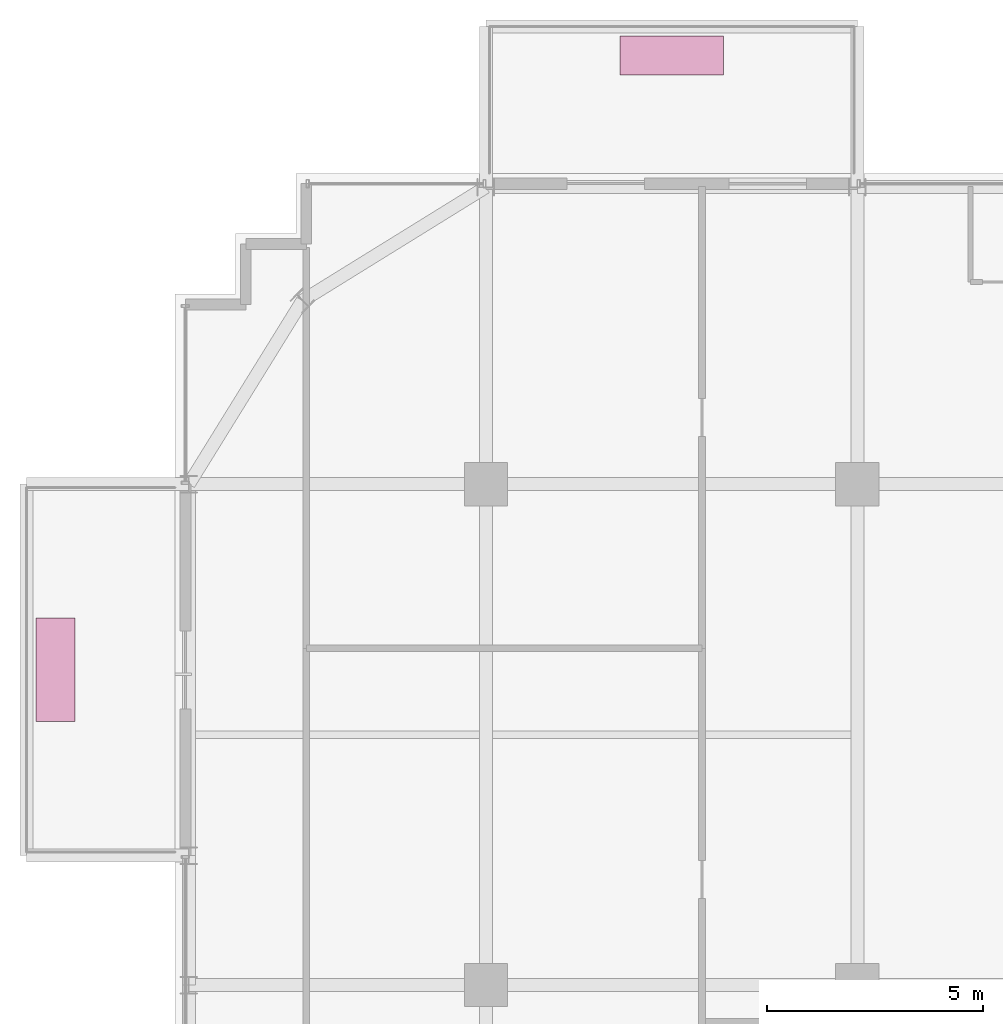
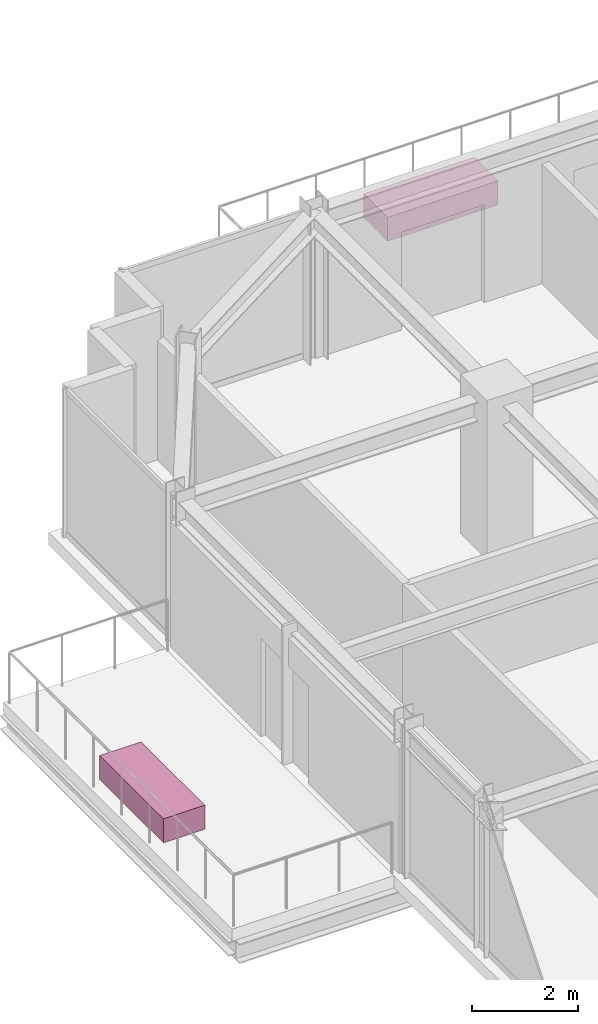
# One storey, part 36 of 36: 2 furnishings.
"""IFC4 building model written with IfcOpenShell, lengths in metres."""

from ifc_helpers import new_model, si_unit, direction, frame, origin, origin_2d, place, context, subcontext, project, spatial, rectangle, extrude, source, transform, mapped, material, type_object, element, save


model = new_model("IFC4")

# Units and contexts
model_context = context("Model", 3, precision=1e-05, world=origin(), true_north=direction((0.0, 1.0)))
body_context = subcontext(model_context, "Body", "Model", "MODEL_VIEW")
ifc_project = project(units=[si_unit("LENGTHUNIT", "METRE"), si_unit("AREAUNIT", "SQUARE_METRE"), si_unit("VOLUMEUNIT", "CUBIC_METRE"), si_unit("PLANEANGLEUNIT", "RADIAN"), si_unit("MASSUNIT", "GRAM", prefix="KILO")], contexts=[model_context])

# Site, building, storey
site_placement = place(None, origin())
site = spatial("IfcSite", under=ifc_project, at=site_placement, CompositionType="ELEMENT")
building_placement = place(site_placement, origin())
building = spatial("IfcBuilding", under=site, at=building_placement, Name="Nahalor Promenade Grand Hotel", CompositionType="ELEMENT")
storey_placement = place(building_placement, frame((0.0, 0.0, 241.89990234375)))
storey = spatial("IfcBuildingStorey", under=building, at=storey_placement, Name="L62", CompositionType="ELEMENT", Elevation=241.89990234375)

# Furnishings
ifc_material = material(Name="Vegetated Volcanic-Lapilli Tree Planter", Category="earth")
furnishing_element_type = type_object("IfcFurnishingElementType", Name="Planter-VerticalForest-Box", material=ifc_material)
shared_shape = source(origin(), body_context, "Body", "SweptSolid", [
    extrude(rectangle(XDim=2.39990234375, YDim=0.89990234375, at=origin_2d()), origin(), (0.0, 0.0, 1.0), 0.550048828125),
])
for number, where, z_axis, x_axis, name in (
    (1, (-12.699951171875, 26.929931640625, 0.0), (0.0, 0.0, 1.0), (1.0, 0.0, 0.0), "L62 Balcony Structural Tree Planter 1"),
    (2, (-26.969970703125, 12.699951171875, 0.0), (0.0, 0.0, 1.0), (0.0, 1.0, 0.0), "L62 Balcony Structural Tree Planter 2"),
):
    element("IfcFurnishingElement", number, at=place(storey_placement, frame(where, z_axis=z_axis, x_axis=x_axis)), inside=storey, type_object=furnishing_element_type, Name=name, ObjectType="PLANTER", context=body_context, shape_type="MappedRepresentation", body=[
        mapped(shared_shape, transform((0.0, 0.0, 0.0), scale=1.0)),
    ])

save(model, "model.ifc")
